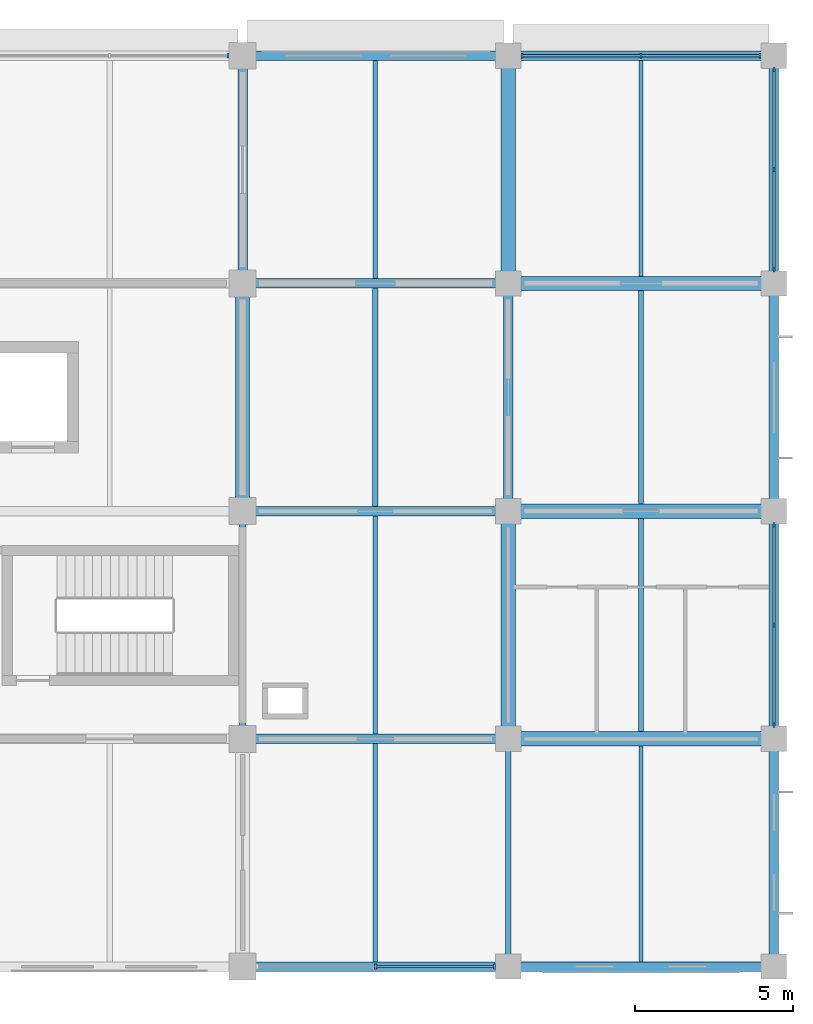
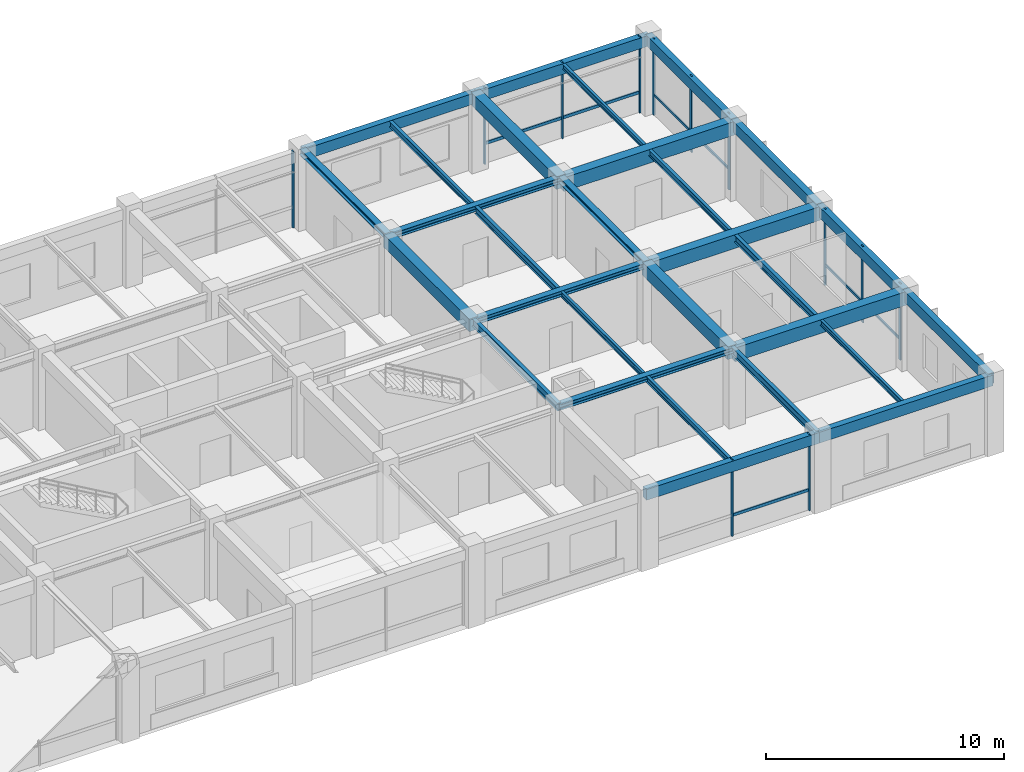
# One storey, part 6 of 13: 29 beams, 19 members, 5 elements without a shape of their own.
"""IFC4 building model written with IfcOpenShell, lengths in metres."""

from ifc_helpers import new_model, si_unit, derived_unit, direction, frame, origin, origin_2d, place, context, subcontext, project, spatial, rectangle, i_section, extrude, material, material_profile, profile_set, type_object, element, aggregate, save


model = new_model("IFC4")

# Units and contexts
model_context = context("Model", 3, precision=1e-05, world=origin(), true_north=direction((0.0, 1.0)))
body_context = subcontext(model_context, "Body", "Model", "MODEL_VIEW")
ifc_project = project(units=[si_unit("LENGTHUNIT", "METRE"), si_unit("AREAUNIT", "SQUARE_METRE"), si_unit("VOLUMEUNIT", "CUBIC_METRE"), si_unit("PLANEANGLEUNIT", "RADIAN"), si_unit("MASSUNIT", "GRAM", prefix="KILO"), derived_unit("THERMALTRANSMITTANCEUNIT", [(si_unit("MASSUNIT", "GRAM", prefix="KILO"), 1), (si_unit("TIMEUNIT", "SECOND"), -3), (si_unit("THERMODYNAMICTEMPERATUREUNIT", "KELVIN"), -1)])], contexts=[model_context])

# Site, building, storey
site_placement = place(None, origin())
site = spatial("IfcSite", under=ifc_project, at=site_placement, CompositionType="ELEMENT")
building_placement = place(site_placement, origin())
building = spatial("IfcBuilding", under=site, at=building_placement, Name="Veldstrom Oceanarium and Marine Research Institute", CompositionType="ELEMENT")
storey_placement = place(building_placement, frame((0.0, 0.0, 27.0)))
storey = spatial("IfcBuildingStorey", under=building, at=storey_placement, Name="L05", CompositionType="ELEMENT", Elevation=27.0)

# Curtain wall, member
ifc_material_1 = material(Name="Anodised Aluminium Framing", Category="aluminium")
curtain_wall_type_1 = type_object("IfcCurtainWallType", Name="ARC-CW-CW04", PredefinedType="USERDEFINED", material=ifc_material_1)
curtain_wall_1_placement = place(storey_placement, origin())
curtain_wall_1 = element("IfcCurtainWall", 1, at=curtain_wall_1_placement, inside=storey, type_object=curtain_wall_type_1, Name="Curtain Wall CW04 CW-L05-095", ObjectType="Curtain wall", PredefinedType="USERDEFINED")
ifc_material_2 = material(Name="Anodised Aluminium Framing", Category="aluminium")
ifc_material_profile_1 = material_profile(ifc_material_2, rectangle(XDim=0.06494140625, YDim=0.14990234375, at=origin_2d()), Name="ALU-MUL-65x150")
ifc_profile_set_1 = profile_set([ifc_material_profile_1], Name="Anodised Aluminium Framing")
member_type_1 = type_object("IfcMemberType", Name="ARC-MUL-ML2", PredefinedType="MULLION", material=ifc_profile_set_1)
member_1_placement = place(storey_placement, frame((100.3349609375, 72.0, 0.0), z_axis=(0.0, 0.0, 1.0), x_axis=(1.0, 0.0, 0.0)))
member_1 = element("IfcMember", 2, at=member_1_placement, type_object=member_type_1, Name="Curtain Wall Mullion CW-L05-095-MUL-3", PredefinedType="MULLION", context=body_context, shape_type="SweptSolid", body=[
    extrude(rectangle(XDim=0.06494140625, YDim=0.14990234375, at=origin_2d()), origin(), (0.0, 0.0, 1.0), 3.919921875),
])
aggregate(curtain_wall_1, [member_1])

# Curtain wall, members
curtain_wall_2_placement = place(storey_placement, origin())
curtain_wall_2 = element("IfcCurtainWall", 3, at=curtain_wall_2_placement, inside=storey, type_object=curtain_wall_type_1, Name="Curtain Wall CW04 CW-L05-096", ObjectType="Curtain wall", PredefinedType="USERDEFINED")
member_2_placement = place(storey_placement, frame((105.012451171875, 43.199951171875, 0.0), z_axis=(0.0, 0.0, 1.0), x_axis=(1.0, 0.0, 0.0)))
member_2 = element("IfcMember", 4, at=member_2_placement, type_object=member_type_1, Name="Curtain Wall Mullion CW-L05-096-MUL-2", PredefinedType="MULLION", context=body_context, shape_type="SweptSolid", body=[
    extrude(rectangle(XDim=0.06494140625, YDim=0.14990234375, at=origin_2d()), origin(), (0.0, 0.0, 1.0), 3.919921875),
])
member_3_placement = place(storey_placement, frame((108.760009765625, 43.199951171875, 0.0), z_axis=(0.0, 0.0, 1.0), x_axis=(1.0, 0.0, 0.0)))
member_3 = element("IfcMember", 5, at=member_3_placement, type_object=member_type_1, Name="Curtain Wall Mullion CW-L05-096-MUL-3", PredefinedType="MULLION", context=body_context, shape_type="SweptSolid", body=[
    extrude(rectangle(XDim=0.06494140625, YDim=0.14990234375, at=origin_2d()), origin(), (0.0, 0.0, 1.0), 3.919921875),
])

ifc_material_3 = material(Name="Anodised Aluminium Framing", Category="aluminium")
curtain_wall_type_2 = type_object("IfcCurtainWallType", Name="ARC-CW-CW08", PredefinedType="USERDEFINED", material=ifc_material_3)
curtain_wall_3_placement = place(storey_placement, origin())
curtain_wall_3 = element("IfcCurtainWall", 6, at=curtain_wall_3_placement, inside=storey, type_object=curtain_wall_type_2, Name="Curtain Wall CW08 CW-L05-097", ObjectType="Curtain wall", PredefinedType="USERDEFINED")
member_4_placement = place(storey_placement, frame((117.60009765625, 50.840087890625, 0.0), z_axis=(0.0, 0.0, 1.0), x_axis=(1.0, 0.0, 0.0)))
member_4 = element("IfcMember", 7, at=member_4_placement, type_object=member_type_1, Name="Curtain Wall Mullion CW-L05-097-MUL-1", PredefinedType="MULLION", context=body_context, shape_type="SweptSolid", body=[
    extrude(rectangle(XDim=0.06494140625, YDim=0.14990234375, at=origin_2d()), origin(), (0.0, 0.0, 1.0), 3.919921875),
])
member_5_placement = place(storey_placement, frame((117.60009765625, 54.0, 0.0), z_axis=(0.0, 0.0, 1.0), x_axis=(1.0, 0.0, 0.0)))
member_5 = element("IfcMember", 8, at=member_5_placement, type_object=member_type_1, Name="Curtain Wall Mullion CW-L05-097-MUL-2", PredefinedType="MULLION", context=body_context, shape_type="SweptSolid", body=[
    extrude(rectangle(XDim=0.06494140625, YDim=0.14990234375, at=origin_2d()), origin(), (0.0, 0.0, 1.0), 3.919921875),
])
member_6_placement = place(storey_placement, frame((117.60009765625, 57.159912109375, 0.0), z_axis=(0.0, 0.0, 1.0), x_axis=(1.0, 0.0, 0.0)))
member_6 = element("IfcMember", 9, at=member_6_placement, type_object=member_type_1, Name="Curtain Wall Mullion CW-L05-097-MUL-3", PredefinedType="MULLION", context=body_context, shape_type="SweptSolid", body=[
    extrude(rectangle(XDim=0.06494140625, YDim=0.14990234375, at=origin_2d()), origin(), (0.0, 0.0, 1.0), 3.919921875),
])

curtain_wall_4_placement = place(storey_placement, origin())
curtain_wall_4 = element("IfcCurtainWall", 10, at=curtain_wall_4_placement, inside=storey, type_object=curtain_wall_type_1, Name="Curtain Wall CW04 CW-L05-098", ObjectType="Curtain wall", PredefinedType="USERDEFINED")
member_7_placement = place(storey_placement, frame((109.639892578125, 72.0, 0.0), z_axis=(0.0, 0.0, 1.0), x_axis=(1.0, 0.0, 0.0)))
member_7 = element("IfcMember", 11, at=member_7_placement, type_object=member_type_1, Name="Curtain Wall Mullion CW-L05-098-MUL-1", PredefinedType="MULLION", context=body_context, shape_type="SweptSolid", body=[
    extrude(rectangle(XDim=0.06494140625, YDim=0.14990234375, at=origin_2d()), origin(), (0.0, 0.0, 1.0), 3.919921875),
])
member_8_placement = place(storey_placement, frame((113.39990234375, 72.0, 0.0), z_axis=(0.0, 0.0, 1.0), x_axis=(1.0, 0.0, 0.0)))
member_8 = element("IfcMember", 12, at=member_8_placement, type_object=member_type_1, Name="Curtain Wall Mullion CW-L05-098-MUL-2", PredefinedType="MULLION", context=body_context, shape_type="SweptSolid", body=[
    extrude(rectangle(XDim=0.06494140625, YDim=0.14990234375, at=origin_2d()), origin(), (0.0, 0.0, 1.0), 3.919921875),
])
member_9_placement = place(storey_placement, frame((117.159912109375, 72.0, 0.0), z_axis=(0.0, 0.0, 1.0), x_axis=(1.0, 0.0, 0.0)))
member_9 = element("IfcMember", 13, at=member_9_placement, type_object=member_type_1, Name="Curtain Wall Mullion CW-L05-098-MUL-3", PredefinedType="MULLION", context=body_context, shape_type="SweptSolid", body=[
    extrude(rectangle(XDim=0.06494140625, YDim=0.14990234375, at=origin_2d()), origin(), (0.0, 0.0, 1.0), 3.919921875),
])

curtain_wall_5_placement = place(storey_placement, origin())
curtain_wall_5 = element("IfcCurtainWall", 14, at=curtain_wall_5_placement, inside=storey, type_object=curtain_wall_type_2, Name="Curtain Wall CW08 CW-L05-099", ObjectType="Curtain wall", PredefinedType="USERDEFINED")
member_10_placement = place(storey_placement, frame((117.60009765625, 65.239990234375, 0.0), z_axis=(0.0, 0.0, 1.0), x_axis=(1.0, 0.0, 0.0)))
member_10 = element("IfcMember", 15, at=member_10_placement, type_object=member_type_1, Name="Curtain Wall Mullion CW-L05-099-MUL-1", PredefinedType="MULLION", context=body_context, shape_type="SweptSolid", body=[
    extrude(rectangle(XDim=0.06494140625, YDim=0.14990234375, at=origin_2d()), origin(), (0.0, 0.0, 1.0), 3.919921875),
])
member_11_placement = place(storey_placement, frame((117.60009765625, 68.39990234375, 0.0), z_axis=(0.0, 0.0, 1.0), x_axis=(1.0, 0.0, 0.0)))
member_11 = element("IfcMember", 16, at=member_11_placement, type_object=member_type_1, Name="Curtain Wall Mullion CW-L05-099-MUL-2", PredefinedType="MULLION", context=body_context, shape_type="SweptSolid", body=[
    extrude(rectangle(XDim=0.06494140625, YDim=0.14990234375, at=origin_2d()), origin(), (0.0, 0.0, 1.0), 3.919921875),
])
member_12_placement = place(storey_placement, frame((117.60009765625, 71.56005859375, 0.0), z_axis=(0.0, 0.0, 1.0), x_axis=(1.0, 0.0, 0.0)))
member_12 = element("IfcMember", 17, at=member_12_placement, type_object=member_type_1, Name="Curtain Wall Mullion CW-L05-099-MUL-3", PredefinedType="MULLION", context=body_context, shape_type="SweptSolid", body=[
    extrude(rectangle(XDim=0.06494140625, YDim=0.14990234375, at=origin_2d()), origin(), (0.0, 0.0, 1.0), 3.919921875),
])

# Member
ifc_material_4 = material(Name="Anodised Aluminium Framing", Category="aluminium")
ifc_material_profile_2 = material_profile(ifc_material_4, rectangle(XDim=0.074951171875, YDim=0.14990234375, at=origin_2d()), Name="ALU-TRN-75x150")
ifc_profile_set_2 = profile_set([ifc_material_profile_2], Name="Anodised Aluminium Framing")
member_type_2 = type_object("IfcMemberType", Name="ARC-TRN-TR1", PredefinedType="USERDEFINED", material=ifc_profile_set_2)
member_13_placement = place(storey_placement, frame((105.052490234375, 43.199951171875, 1.050048828125), z_axis=(1.0, 0.0, 0.0), x_axis=(0.0, 1.0, 0.0)))
member_13 = element("IfcMember", 18, at=member_13_placement, type_object=member_type_2, Name="Curtain Wall Transom CW-L05-096-TRN-2", ObjectType="Transom", PredefinedType="USERDEFINED", context=body_context, shape_type="SweptSolid", body=[
    extrude(rectangle(XDim=0.074951171875, YDim=0.14990234375, at=origin_2d()), origin(), (0.0, 0.0, 1.0), 3.66748046875),
])

aggregate(curtain_wall_2, [member_2, member_3, member_13])

member_14_placement = place(storey_placement, frame((109.679931640625, 72.0, 1.050048828125), z_axis=(1.0, 0.0, 0.0), x_axis=(0.0, 1.0, 0.0)))
member_14 = element("IfcMember", 19, at=member_14_placement, type_object=member_type_2, Name="Curtain Wall Transom CW-L05-098-TRN-1", ObjectType="Transom", PredefinedType="USERDEFINED", context=body_context, shape_type="SweptSolid", body=[
    extrude(rectangle(XDim=0.074951171875, YDim=0.14990234375, at=origin_2d()), origin(), (0.0, 0.0, 1.0), 3.68017578125),
])

member_15_placement = place(storey_placement, frame((113.43994140625, 72.0, 1.050048828125), z_axis=(1.0, 0.0, 0.0), x_axis=(0.0, 1.0, 0.0)))
member_15 = element("IfcMember", 20, at=member_15_placement, type_object=member_type_2, Name="Curtain Wall Transom CW-L05-098-TRN-2", ObjectType="Transom", PredefinedType="USERDEFINED", context=body_context, shape_type="SweptSolid", body=[
    extrude(rectangle(XDim=0.074951171875, YDim=0.14990234375, at=origin_2d()), origin(), (0.0, 0.0, 1.0), 3.68017578125),
])

aggregate(curtain_wall_4, [member_7, member_8, member_9, member_14, member_15])

ifc_material_5 = material(Name="Anodised Aluminium Framing", Category="aluminium")
ifc_material_profile_3 = material_profile(ifc_material_5, rectangle(XDim=0.06494140625, YDim=0.1201171875, at=origin_2d()), Name="ALU-TRN-65x120")
ifc_profile_set_3 = profile_set([ifc_material_profile_3], Name="Anodised Aluminium Framing")
member_type_3 = type_object("IfcMemberType", Name="ARC-TRN-TR2", PredefinedType="USERDEFINED", material=ifc_profile_set_3)
member_16_placement = place(storey_placement, frame((117.60009765625, 50.8798828125, 1.050048828125), z_axis=(0.0, 1.0, 0.0), x_axis=(-1.0, 0.0, 0.0)))
member_16 = element("IfcMember", 21, at=member_16_placement, type_object=member_type_3, Name="Curtain Wall Transom CW-L05-097-TRN-1", ObjectType="Transom", PredefinedType="USERDEFINED", context=body_context, shape_type="SweptSolid", body=[
    extrude(rectangle(XDim=0.06494140625, YDim=0.1201171875, at=origin_2d()), origin(), (0.0, 0.0, 1.0), 3.080078125),
])

member_17_placement = place(storey_placement, frame((117.60009765625, 54.0400390625, 1.050048828125), z_axis=(0.0, 1.0, 0.0), x_axis=(-1.0, 0.0, 0.0)))
member_17 = element("IfcMember", 22, at=member_17_placement, type_object=member_type_3, Name="Curtain Wall Transom CW-L05-097-TRN-2", ObjectType="Transom", PredefinedType="USERDEFINED", context=body_context, shape_type="SweptSolid", body=[
    extrude(rectangle(XDim=0.06494140625, YDim=0.1201171875, at=origin_2d()), origin(), (0.0, 0.0, 1.0), 3.080078125),
])

aggregate(curtain_wall_3, [member_4, member_5, member_6, member_16, member_17])

member_18_placement = place(storey_placement, frame((117.60009765625, 65.280029296875, 1.050048828125), z_axis=(0.0, 1.0, 0.0), x_axis=(-1.0, 0.0, 0.0)))
member_18 = element("IfcMember", 23, at=member_18_placement, type_object=member_type_3, Name="Curtain Wall Transom CW-L05-099-TRN-1", ObjectType="Transom", PredefinedType="USERDEFINED", context=body_context, shape_type="SweptSolid", body=[
    extrude(rectangle(XDim=0.06494140625, YDim=0.1201171875, at=origin_2d()), origin(), (0.0, 0.0, 1.0), 3.080078125),
])

member_19_placement = place(storey_placement, frame((117.60009765625, 68.43994140625, 1.050048828125), z_axis=(0.0, 1.0, 0.0), x_axis=(-1.0, 0.0, 0.0)))
member_19 = element("IfcMember", 24, at=member_19_placement, type_object=member_type_3, Name="Curtain Wall Transom CW-L05-099-TRN-2", ObjectType="Transom", PredefinedType="USERDEFINED", context=body_context, shape_type="SweptSolid", body=[
    extrude(rectangle(XDim=0.06494140625, YDim=0.1201171875, at=origin_2d()), origin(), (0.0, 0.0, 1.0), 3.080078125),
])

aggregate(curtain_wall_5, [member_10, member_11, member_12, member_18, member_19])

# Beams
ifc_material_6 = material(Name="Concrete C40/50", Category="concrete")
ifc_material_profile_4 = material_profile(ifc_material_6, rectangle(XDim=0.449951171875, YDim=0.699951171875, at=origin_2d()), Name="RC-BM-450x700")
ifc_profile_set_4 = profile_set([ifc_material_profile_4], Name="Concrete C40/50")
beam_type_1 = type_object("IfcBeamType", Name="STR-BM-B04", PredefinedType="BEAM", material=ifc_profile_set_4)
for number, where, z_axis, x_axis, name in (
    (25, (109.199951171875, 50.39990234375, 3.56494140625), (1.0, 0.0, 0.0), (0.0, 1.0, 0.0), "Primary Beam B04 L05-2200"),
    (26, (109.199951171875, 57.60009765625, 3.56494140625), (1.0, 0.0, 0.0), (0.0, 1.0, 0.0), "Primary Beam B04 L05-2201"),
    (27, (109.199951171875, 64.800048828125, 3.56494140625), (1.0, 0.0, 0.0), (0.0, 1.0, 0.0), "Primary Beam B04 L05-2202"),
):
    element("IfcBeam", number, at=place(storey_placement, frame(where, z_axis=z_axis, x_axis=x_axis)), inside=storey, type_object=beam_type_1, Name=name, PredefinedType="BEAM", context=body_context, shape_type="SweptSolid", body=[
        extrude(rectangle(XDim=0.449951171875, YDim=0.699951171875, at=origin_2d()), origin(), (0.0, 0.0, 1.0), 8.400146484375),
    ])
ifc_material_7 = material(Name="Concrete C40/50", Category="concrete")
ifc_material_profile_5 = material_profile(ifc_material_7, rectangle(XDim=0.449951171875, YDim=0.64990234375, at=origin_2d()), Name="RC-BM-450x650")
ifc_profile_set_5 = profile_set([ifc_material_profile_5], Name="Concrete C40/50")
beam_type_2 = type_object("IfcBeamType", Name="STR-BM-B05", PredefinedType="BEAM", material=ifc_profile_set_5)
beam_1_placement = place(storey_placement, frame((100.800048828125, 57.60009765625, 3.590087890625), z_axis=(0.0, 1.0, 0.0), x_axis=(-1.0, 0.0, 0.0)))
element("IfcBeam", 28, at=beam_1_placement, inside=storey, type_object=beam_type_2, Name="Primary Beam B05 L05-2222", PredefinedType="BEAM", context=body_context, shape_type="SweptSolid", body=[
    extrude(rectangle(XDim=0.449951171875, YDim=0.64990234375, at=origin_2d()), origin(), (0.0, 0.0, 1.0), 7.199951171875),
])
beam_2_placement = place(storey_placement, frame((109.199951171875, 50.39990234375, 3.590087890625), z_axis=(0.0, 1.0, 0.0), x_axis=(-1.0, 0.0, 0.0)))
element("IfcBeam", 29, at=beam_2_placement, inside=storey, type_object=beam_type_2, Name="Primary Beam B05 L05-2225", PredefinedType="BEAM", context=body_context, shape_type="SweptSolid", body=[
    extrude(rectangle(XDim=0.449951171875, YDim=0.64990234375, at=origin_2d()), origin(), (0.0, 0.0, 1.0), 7.2001953125),
])
beam_3_placement = place(storey_placement, frame((109.199951171875, 64.800048828125, 3.590087890625), z_axis=(0.0, 1.0, 0.0), x_axis=(-1.0, 0.0, 0.0)))
element("IfcBeam", 30, at=beam_3_placement, inside=storey, type_object=beam_type_2, Name="Primary Beam B05 L05-2227", PredefinedType="BEAM", context=body_context, shape_type="SweptSolid", body=[
    extrude(rectangle(XDim=0.449951171875, YDim=0.64990234375, at=origin_2d()), origin(), (0.0, 0.0, 1.0), 7.199951171875),
])
ifc_material_8 = material(Name="Steel S355JR", Category="steel")
ifc_material_profile_6 = material_profile(ifc_material_8, i_section(OverallWidth=0.300048828125, OverallDepth=0.2900390625, WebThickness=0.008544921875, FlangeThickness=0.013916015625, FilletRadius=0.027099609375, at=origin_2d()), Name="HEA 300")
ifc_profile_set_6 = profile_set([ifc_material_profile_6], Name="Steel S355JR")
beam_type_3 = type_object("IfcBeamType", Name="STR-BM-SB10", PredefinedType="BEAM", material=ifc_profile_set_6)
for number, where, z_axis, x_axis, name in (
    (31, (100.800048828125, 50.39990234375, 3.77001953125), (1.0, 0.0, 0.0), (0.0, 1.0, 0.0), "Steel Floor Girder SB10 L05-2195"),
    (32, (100.800048828125, 57.60009765625, 3.77001953125), (1.0, 0.0, 0.0), (0.0, 1.0, 0.0), "Steel Floor Girder SB10 L05-2196"),
    (33, (100.800048828125, 64.800048828125, 3.77001953125), (1.0, 0.0, 0.0), (0.0, 1.0, 0.0), "Steel Floor Girder SB10 L05-2197"),
):
    element("IfcBeam", number, at=place(storey_placement, frame(where, z_axis=z_axis, x_axis=x_axis)), inside=storey, type_object=beam_type_3, Name=name, PredefinedType="BEAM", context=body_context, shape_type="SweptSolid", body=[
        extrude(i_section(OverallWidth=0.300048828125, OverallDepth=0.2900390625, WebThickness=0.008544921875, FlangeThickness=0.013916015625, FilletRadius=0.027099609375, at=origin_2d()), origin(), (0.0, 0.0, 1.0), 8.39990234375),
    ])
for number, where, z_axis, x_axis, name in (
    (34, (100.800048828125, 64.800048828125, 3.77001953125), (0.0, 1.0, 0.0), (-1.0, 0.0, 0.0), "Steel Tie Beam SB10 L05-2223"),
    (35, (109.199951171875, 57.60009765625, 3.77001953125), (0.0, 1.0, 0.0), (-1.0, 0.0, 0.0), "Steel Tie Beam SB10 L05-2226"),
):
    element("IfcBeam", number, at=place(storey_placement, frame(where, z_axis=z_axis, x_axis=x_axis)), inside=storey, type_object=beam_type_3, Name=name, PredefinedType="BEAM", context=body_context, shape_type="SweptSolid", body=[
        extrude(i_section(OverallWidth=0.300048828125, OverallDepth=0.2900390625, WebThickness=0.008544921875, FlangeThickness=0.013916015625, FilletRadius=0.027099609375, at=origin_2d()), origin(), (0.0, 0.0, 1.0), 7.199951171875),
    ])
ifc_material_9 = material(Name="Steel S355JR", Category="steel")
ifc_material_profile_7 = material_profile(ifc_material_9, i_section(OverallWidth=0.179931640625, OverallDepth=0.39990234375, WebThickness=0.008544921875, FlangeThickness=0.013427734375, FilletRadius=0.02099609375, at=origin_2d()), Name="IPE 400")
ifc_profile_set_7 = profile_set([ifc_material_profile_7], Name="Steel S355JR")
beam_type_4 = type_object("IfcBeamType", Name="STR-BM-SB8", PredefinedType="BEAM", material=ifc_profile_set_7)
beam_4_placement = place(storey_placement, frame((100.800048828125, 50.39990234375, 3.715087890625), z_axis=(0.0, 1.0, 0.0), x_axis=(-1.0, 0.0, 0.0)))
element("IfcBeam", 36, at=beam_4_placement, inside=storey, type_object=beam_type_4, Name="Steel Tie Beam SB8 L05-2221", PredefinedType="BEAM", context=body_context, shape_type="SweptSolid", body=[
    extrude(i_section(OverallWidth=0.179931640625, OverallDepth=0.39990234375, WebThickness=0.008544921875, FlangeThickness=0.013427734375, FilletRadius=0.02099609375, at=origin_2d()), origin(), (0.0, 0.0, 1.0), 7.2001953125),
])
beam_5_placement = place(storey_placement, frame((109.199951171875, 43.199951171875, 3.715087890625), z_axis=(0.0, 1.0, 0.0), x_axis=(-1.0, 0.0, 0.0)))
element("IfcBeam", 37, at=beam_5_placement, inside=storey, type_object=beam_type_4, Name="Steel Tie Beam SB8 L05-2224", PredefinedType="BEAM", context=body_context, shape_type="SweptSolid", body=[
    extrude(i_section(OverallWidth=0.179931640625, OverallDepth=0.39990234375, WebThickness=0.008544921875, FlangeThickness=0.013427734375, FilletRadius=0.02099609375, at=origin_2d()), origin(), (0.0, 0.0, 1.0), 7.199951171875),
])
ifc_material_10 = material(Name="Steel S355JR", Category="steel")
ifc_material_profile_8 = material_profile(ifc_material_10, i_section(OverallWidth=0.169921875, OverallDepth=0.360107421875, WebThickness=0.008056640625, FlangeThickness=0.0126953125, FilletRadius=0.01806640625, at=origin_2d()), Name="IPE 360")
ifc_profile_set_8 = profile_set([ifc_material_profile_8], Name="Steel S355JR")
beam_type_5 = type_object("IfcBeamType", Name="STR-JST-SJ1", PredefinedType="JOIST", material=ifc_profile_set_8)
beam_6_placement = place(storey_placement, frame((105.0, 57.75, 3.735107421875), z_axis=(0.0, 1.0, 0.0), x_axis=(-1.0, 0.0, 0.0)))
element("IfcBeam", 38, at=beam_6_placement, inside=storey, type_object=beam_type_5, Name="Secondary Joist SJ1 L05-2247", PredefinedType="JOIST", context=body_context, shape_type="SweptSolid", body=[
    extrude(i_section(OverallWidth=0.169921875, OverallDepth=0.360107421875, WebThickness=0.008056640625, FlangeThickness=0.0126953125, FilletRadius=0.01806640625, at=origin_2d()), origin(), (0.0, 0.0, 1.0), 6.89990234375),
])
beam_7_placement = place(storey_placement, frame((113.39990234375, 50.625, 3.735107421875), z_axis=(0.0, 1.0, 0.0), x_axis=(-1.0, 0.0, 0.0)))
element("IfcBeam", 39, at=beam_7_placement, inside=storey, type_object=beam_type_5, Name="Secondary Joist SJ1 L05-2250", PredefinedType="JOIST", context=body_context, shape_type="SweptSolid", body=[
    extrude(i_section(OverallWidth=0.169921875, OverallDepth=0.360107421875, WebThickness=0.008056640625, FlangeThickness=0.0126953125, FilletRadius=0.01806640625, at=origin_2d()), origin(), (0.0, 0.0, 1.0), 6.75),
])
ifc_material_11 = material(Name="Steel S355JR", Category="steel")
ifc_material_profile_9 = material_profile(ifc_material_11, i_section(OverallWidth=0.14990234375, OverallDepth=0.300048828125, WebThickness=0.007080078125, FlangeThickness=0.0107421875, FilletRadius=0.014892578125, at=origin_2d()), Name="IPE 300")
ifc_profile_set_9 = profile_set([ifc_material_profile_9], Name="Steel S355JR")
beam_type_6 = type_object("IfcBeamType", Name="STR-JST-SJ2", PredefinedType="JOIST", material=ifc_profile_set_9)
beam_8_placement = place(storey_placement, frame((105.0, 43.35009765625, 3.764892578125), z_axis=(0.0, 1.0, 0.0), x_axis=(-1.0, 0.0, 0.0)))
element("IfcBeam", 40, at=beam_8_placement, inside=storey, type_object=beam_type_6, Name="Secondary Joist SJ2 L05-2245", PredefinedType="JOIST", context=body_context, shape_type="SweptSolid", body=[
    extrude(i_section(OverallWidth=0.14990234375, OverallDepth=0.300048828125, WebThickness=0.007080078125, FlangeThickness=0.0107421875, FilletRadius=0.014892578125, at=origin_2d()), origin(), (0.0, 0.0, 1.0), 6.89990234375),
])
beam_9_placement = place(storey_placement, frame((105.0, 64.949951171875, 3.764892578125), z_axis=(0.0, 1.0, 0.0), x_axis=(-1.0, 0.0, 0.0)))
element("IfcBeam", 41, at=beam_9_placement, inside=storey, type_object=beam_type_6, Name="Secondary Joist SJ2 L05-2248", PredefinedType="JOIST", context=body_context, shape_type="SweptSolid", body=[
    extrude(i_section(OverallWidth=0.14990234375, OverallDepth=0.300048828125, WebThickness=0.007080078125, FlangeThickness=0.0107421875, FilletRadius=0.014892578125, at=origin_2d()), origin(), (0.0, 0.0, 1.0), 6.900146484375),
])
beam_10_placement = place(storey_placement, frame((113.39990234375, 57.824951171875, 3.764892578125), z_axis=(0.0, 1.0, 0.0), x_axis=(-1.0, 0.0, 0.0)))
element("IfcBeam", 42, at=beam_10_placement, inside=storey, type_object=beam_type_6, Name="Secondary Joist SJ2 L05-2251", PredefinedType="JOIST", context=body_context, shape_type="SweptSolid", body=[
    extrude(i_section(OverallWidth=0.14990234375, OverallDepth=0.300048828125, WebThickness=0.007080078125, FlangeThickness=0.0107421875, FilletRadius=0.014892578125, at=origin_2d()), origin(), (0.0, 0.0, 1.0), 6.75),
])
ifc_material_12 = material(Name="Steel S355JR", Category="steel")
ifc_material_profile_10 = material_profile(ifc_material_12, i_section(OverallWidth=0.135009765625, OverallDepth=0.27001953125, WebThickness=0.006591796875, FlangeThickness=0.01025390625, FilletRadius=0.014892578125, at=origin_2d()), Name="IPE 270")
ifc_profile_set_10 = profile_set([ifc_material_profile_10], Name="Steel S355JR")
beam_type_7 = type_object("IfcBeamType", Name="STR-JST-SJ3", PredefinedType="JOIST", material=ifc_profile_set_10)
beam_11_placement = place(storey_placement, frame((105.0, 50.550048828125, 3.780029296875), z_axis=(0.0, 1.0, 0.0), x_axis=(-1.0, 0.0, 0.0)))
element("IfcBeam", 43, at=beam_11_placement, inside=storey, type_object=beam_type_7, Name="Secondary Joist SJ3 L05-2246", PredefinedType="JOIST", context=body_context, shape_type="SweptSolid", body=[
    extrude(i_section(OverallWidth=0.135009765625, OverallDepth=0.27001953125, WebThickness=0.006591796875, FlangeThickness=0.01025390625, FilletRadius=0.014892578125, at=origin_2d()), origin(), (0.0, 0.0, 1.0), 6.89990234375),
])
beam_12_placement = place(storey_placement, frame((113.39990234375, 43.35009765625, 3.780029296875), z_axis=(0.0, 1.0, 0.0), x_axis=(-1.0, 0.0, 0.0)))
element("IfcBeam", 44, at=beam_12_placement, inside=storey, type_object=beam_type_7, Name="Secondary Joist SJ3 L05-2249", PredefinedType="JOIST", context=body_context, shape_type="SweptSolid", body=[
    extrude(i_section(OverallWidth=0.135009765625, OverallDepth=0.27001953125, WebThickness=0.006591796875, FlangeThickness=0.01025390625, FilletRadius=0.014892578125, at=origin_2d()), origin(), (0.0, 0.0, 1.0), 6.824951171875),
])
beam_13_placement = place(storey_placement, frame((113.39990234375, 65.02490234375, 3.780029296875), z_axis=(0.0, 1.0, 0.0), x_axis=(-1.0, 0.0, 0.0)))
element("IfcBeam", 45, at=beam_13_placement, inside=storey, type_object=beam_type_7, Name="Secondary Joist SJ3 L05-2252", PredefinedType="JOIST", context=body_context, shape_type="SweptSolid", body=[
    extrude(i_section(OverallWidth=0.135009765625, OverallDepth=0.27001953125, WebThickness=0.006591796875, FlangeThickness=0.01025390625, FilletRadius=0.014892578125, at=origin_2d()), origin(), (0.0, 0.0, 1.0), 6.8251953125),
])
ifc_material_13 = material(Name="Concrete C40/50", Category="concrete")
ifc_material_profile_11 = material_profile(ifc_material_13, rectangle(XDim=0.300048828125, YDim=0.550048828125, at=origin_2d()), Name="RC-SPN-300x550")
ifc_profile_set_11 = profile_set([ifc_material_profile_11], Name="Concrete C40/50")
beam_type_8 = type_object("IfcBeamType", Name="STR-SPN-SP2", PredefinedType="SPANDREL", material=ifc_profile_set_11)
for number, where, z_axis, x_axis, name in (
    (46, (100.800048828125, 43.199951171875, 3.639892578125), (1.0, 0.0, 0.0), (0.0, 1.0, 0.0), "Perimeter Spandrel SPB2 L05-2194"),
    (47, (100.800048828125, 72.0, 3.639892578125), (1.0, 0.0, 0.0), (0.0, 1.0, 0.0), "Perimeter Spandrel SPB2 L05-2198"),
):
    element("IfcBeam", number, at=place(storey_placement, frame(where, z_axis=z_axis, x_axis=x_axis)), inside=storey, type_object=beam_type_8, Name=name, PredefinedType="SPANDREL", context=body_context, shape_type="SweptSolid", body=[
        extrude(rectangle(XDim=0.300048828125, YDim=0.550048828125, at=origin_2d()), origin(), (0.0, 0.0, 1.0), 8.39990234375),
    ])
for number, where, z_axis, x_axis, name in (
    (48, (109.199951171875, 43.199951171875, 3.639892578125), (1.0, 0.0, 0.0), (0.0, 1.0, 0.0), "Perimeter Spandrel SPB2 L05-2199"),
    (49, (109.199951171875, 72.0, 3.639892578125), (1.0, 0.0, 0.0), (0.0, 1.0, 0.0), "Perimeter Spandrel SPB2 L05-2203"),
):
    element("IfcBeam", number, at=place(storey_placement, frame(where, z_axis=z_axis, x_axis=x_axis)), inside=storey, type_object=beam_type_8, Name=name, PredefinedType="SPANDREL", context=body_context, shape_type="SweptSolid", body=[
        extrude(rectangle(XDim=0.300048828125, YDim=0.550048828125, at=origin_2d()), origin(), (0.0, 0.0, 1.0), 8.400146484375),
    ])
beam_14_placement = place(storey_placement, frame((117.60009765625, 43.199951171875, 3.639892578125), z_axis=(0.0, 1.0, 0.0), x_axis=(-1.0, 0.0, 0.0)))
element("IfcBeam", 50, at=beam_14_placement, inside=storey, type_object=beam_type_8, Name="Perimeter Spandrel SPB2 L05-2228", PredefinedType="SPANDREL", context=body_context, shape_type="SweptSolid", body=[
    extrude(rectangle(XDim=0.300048828125, YDim=0.550048828125, at=origin_2d()), origin(), (0.0, 0.0, 1.0), 7.199951171875),
])
beam_15_placement = place(storey_placement, frame((117.60009765625, 50.39990234375, 3.639892578125), z_axis=(0.0, 1.0, 0.0), x_axis=(-1.0, 0.0, 0.0)))
element("IfcBeam", 51, at=beam_15_placement, inside=storey, type_object=beam_type_8, Name="Perimeter Spandrel SPB2 L05-2229", PredefinedType="SPANDREL", context=body_context, shape_type="SweptSolid", body=[
    extrude(rectangle(XDim=0.300048828125, YDim=0.550048828125, at=origin_2d()), origin(), (0.0, 0.0, 1.0), 7.2001953125),
])
for number, where, z_axis, x_axis, name in (
    (52, (117.60009765625, 57.60009765625, 3.639892578125), (0.0, 1.0, 0.0), (-1.0, 0.0, 0.0), "Perimeter Spandrel SPB2 L05-2230"),
    (53, (117.60009765625, 64.800048828125, 3.639892578125), (0.0, 1.0, 0.0), (-1.0, 0.0, 0.0), "Perimeter Spandrel SPB2 L05-2231"),
):
    element("IfcBeam", number, at=place(storey_placement, frame(where, z_axis=z_axis, x_axis=x_axis)), inside=storey, type_object=beam_type_8, Name=name, PredefinedType="SPANDREL", context=body_context, shape_type="SweptSolid", body=[
        extrude(rectangle(XDim=0.300048828125, YDim=0.550048828125, at=origin_2d()), origin(), (0.0, 0.0, 1.0), 7.199951171875),
    ])

save(model, "model.ifc")
